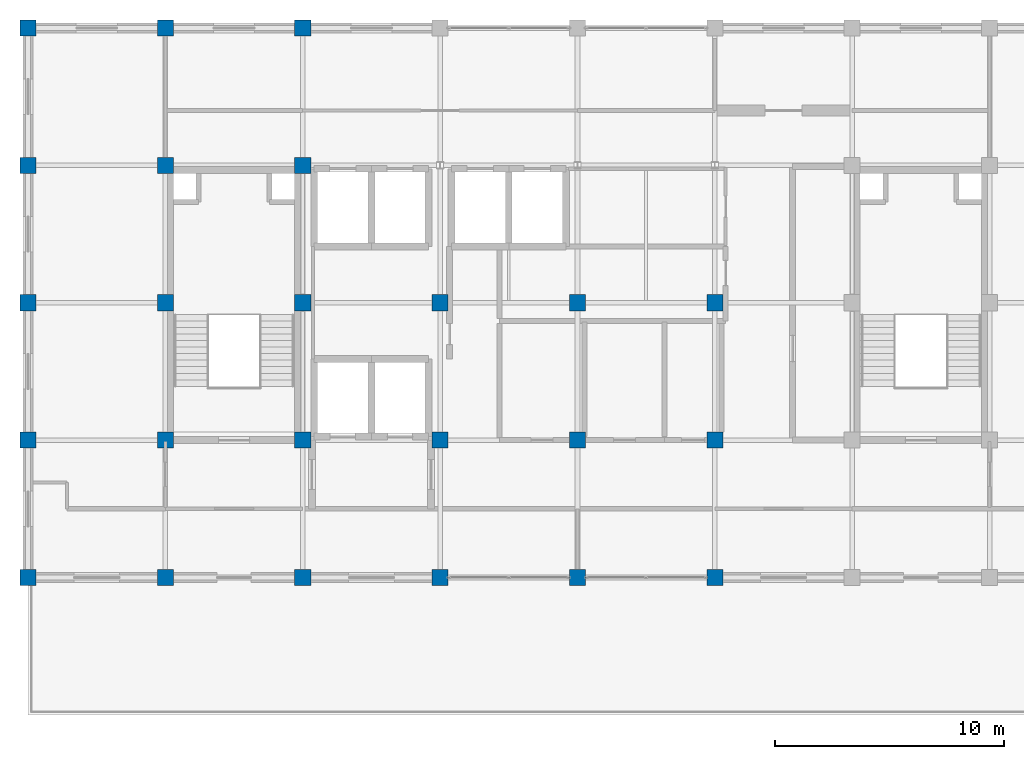
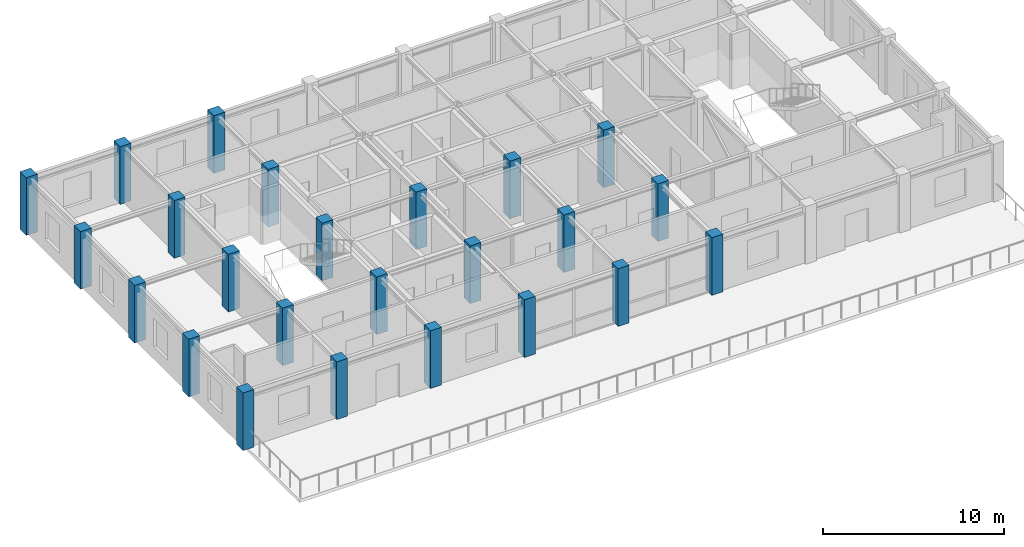
# One storey, part 1 of 11: 24 columns.
"""IFC4 building model written with IfcOpenShell, lengths in metres."""

from ifc_helpers import new_model, si_unit, direction, frame, origin, origin_2d, place, context, subcontext, project, spatial, rectangle, extrude, material, material_profile, profile_set, type_object, element, save


model = new_model("IFC4")

# Units and contexts
model_context = context("Model", 3, precision=1e-05, world=origin(), true_north=direction((0.0, 1.0)))
body_context = subcontext(model_context, "Body", "Model", "MODEL_VIEW")
ifc_project = project(units=[si_unit("LENGTHUNIT", "METRE"), si_unit("AREAUNIT", "SQUARE_METRE"), si_unit("VOLUMEUNIT", "CUBIC_METRE"), si_unit("PLANEANGLEUNIT", "RADIAN"), si_unit("MASSUNIT", "GRAM", prefix="KILO")], contexts=[model_context])

# Site, building, storey
site_placement = place(None, origin())
site = spatial("IfcSite", under=ifc_project, at=site_placement, CompositionType="ELEMENT")
building_placement = place(site_placement, origin())
building = spatial("IfcBuilding", under=site, at=building_placement, Name="Zlatovratsky Civic Hall", CompositionType="ELEMENT")
storey_placement = place(building_placement, frame((0.0, 0.0, 52.199951171875)))
storey = spatial("IfcBuildingStorey", under=building, at=storey_placement, Name="L13", CompositionType="ELEMENT", Elevation=52.199951171875)

# Columns
ifc_material = material(Name="Concrete C35/45 (B40)", Category="concrete")
ifc_material_profile = material_profile(ifc_material, rectangle(XDim=0.699951171875, YDim=0.699951171875, at=origin_2d()), Name="RC 700x700")
ifc_profile_set = profile_set([ifc_material_profile], Name="Concrete C35/45 (B40)")
column_type = type_object("IfcColumnType", Name="Col_CorePier_RC700", PredefinedType="COLUMN", material=ifc_profile_set)
for number, where, z_axis, x_axis, name in (
    (1, (60.0, 78.0, 0.0), (0.0, 0.0, 1.0), (1.0, 0.0, 0.0), "CL-2465"),
    (2, (66.0, 78.0, 0.0), (0.0, 0.0, 1.0), (1.0, 0.0, 0.0), "CL-2466"),
    (3, (72.0, 78.0, 0.0), (0.0, 0.0, 1.0), (1.0, 0.0, 0.0), "CL-2467"),
    (4, (78.0, 78.0, 0.0), (0.0, 0.0, 1.0), (1.0, 0.0, 0.0), "CL-2468"),
    (5, (84.0, 78.0, 0.0), (0.0, 0.0, 1.0), (1.0, 0.0, 0.0), "CL-2469"),
    (6, (90.0, 78.0, 0.0), (0.0, 0.0, 1.0), (1.0, 0.0, 0.0), "CL-2470"),
    (7, (60.0, 84.0, 0.0), (0.0, 0.0, 1.0), (1.0, 0.0, 0.0), "CL-2474"),
    (8, (66.0, 84.0, 0.0), (0.0, 0.0, 1.0), (1.0, 0.0, 0.0), "CL-2475"),
    (9, (72.0, 84.0, 0.0), (0.0, 0.0, 1.0), (1.0, 0.0, 0.0), "CL-2476"),
    (10, (78.0, 84.0, 0.0), (0.0, 0.0, 1.0), (1.0, 0.0, 0.0), "CL-2477"),
    (11, (84.0, 84.0, 0.0), (0.0, 0.0, 1.0), (1.0, 0.0, 0.0), "CL-2478"),
    (12, (90.0, 84.0, 0.0), (0.0, 0.0, 1.0), (1.0, 0.0, 0.0), "CL-2479"),
    (13, (60.0, 90.0, 0.0), (0.0, 0.0, 1.0), (1.0, 0.0, 0.0), "CL-2483"),
    (14, (66.0, 90.0, 0.0), (0.0, 0.0, 1.0), (1.0, 0.0, 0.0), "CL-2484"),
    (15, (72.0, 90.0, 0.0), (0.0, 0.0, 1.0), (1.0, 0.0, 0.0), "CL-2485"),
    (16, (78.0, 90.0, 0.0), (0.0, 0.0, 1.0), (1.0, 0.0, 0.0), "CL-2486"),
    (17, (84.0, 90.0, 0.0), (0.0, 0.0, 1.0), (1.0, 0.0, 0.0), "CL-2487"),
    (18, (90.0, 90.0, 0.0), (0.0, 0.0, 1.0), (1.0, 0.0, 0.0), "CL-2488"),
    (19, (60.0, 96.0, 0.0), (0.0, 0.0, 1.0), (1.0, 0.0, 0.0), "CL-2492"),
    (20, (66.0, 96.0, 0.0), (0.0, 0.0, 1.0), (1.0, 0.0, 0.0), "CL-2493"),
    (21, (72.0, 96.0, 0.0), (0.0, 0.0, 1.0), (1.0, 0.0, 0.0), "CL-2494"),
    (22, (60.0, 102.0, 0.0), (0.0, 0.0, 1.0), (1.0, 0.0, 0.0), "CL-2501"),
    (23, (66.0, 102.0, 0.0), (0.0, 0.0, 1.0), (1.0, 0.0, 0.0), "CL-2502"),
    (24, (72.0, 102.0, 0.0), (0.0, 0.0, 1.0), (1.0, 0.0, 0.0), "CL-2503"),
):
    element("IfcColumn", number, at=place(storey_placement, frame(where, z_axis=z_axis, x_axis=x_axis)), inside=storey, type_object=column_type, Name=name, PredefinedType="COLUMN", context=body_context, shape_type="SweptSolid", body=[
        extrude(rectangle(XDim=0.699951171875, YDim=0.699951171875, at=origin_2d()), origin(), (0.0, 0.0, 1.0), 3.900146484375),
    ])

save(model, "model.ifc")
